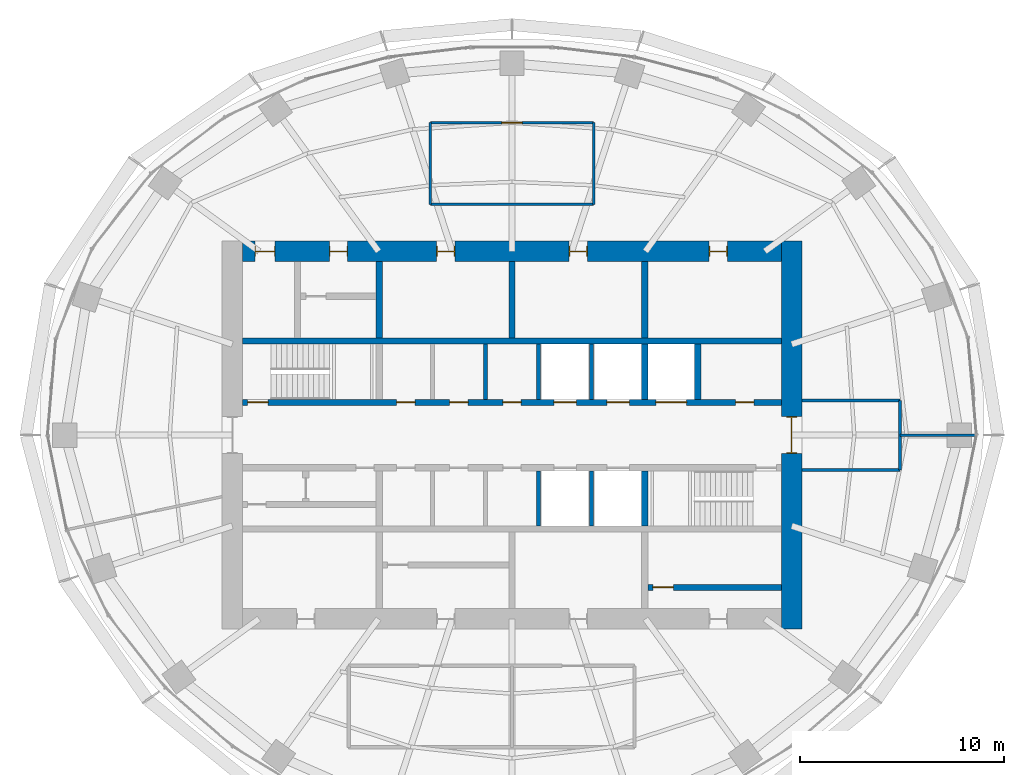
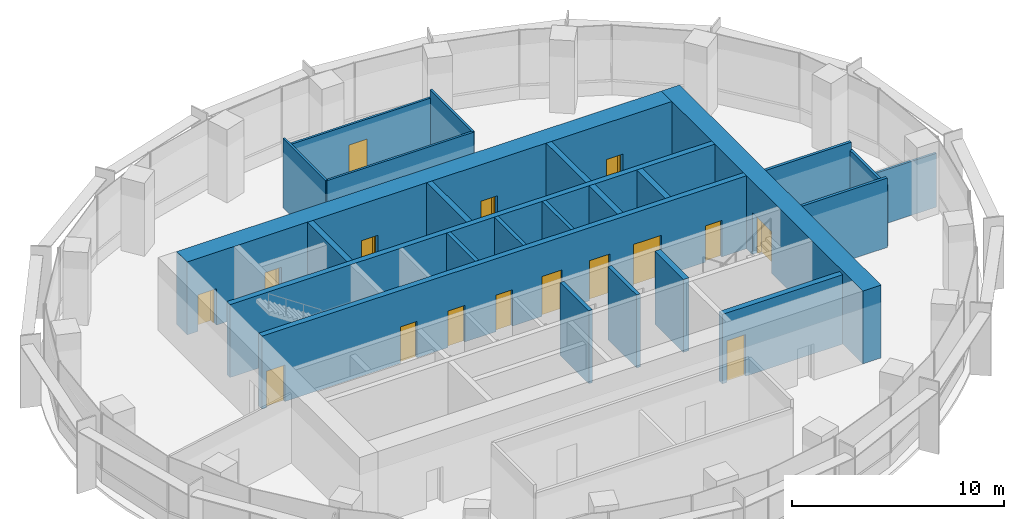
# One storey, part 10 of 13: 24 walls, 16 doors, 16 openings.
"""IFC4 building model written with IfcOpenShell, lengths in metres."""

from ifc_helpers import new_model, si_unit, direction, frame, frame_2d, origin, place, context, subcontext, project, spatial, rectangle, extrude, material, layer, layer_set, type_object, element, fill, save


model = new_model("IFC4")

# Units and contexts
model_context = context("Model", 3, precision=1e-05, world=origin(), true_north=direction((0.0, 1.0)))
body_context = subcontext(model_context, "Body", "Model", "MODEL_VIEW")
ifc_project = project(units=[si_unit("LENGTHUNIT", "METRE"), si_unit("AREAUNIT", "SQUARE_METRE"), si_unit("VOLUMEUNIT", "CUBIC_METRE"), si_unit("PLANEANGLEUNIT", "RADIAN"), si_unit("MASSUNIT", "GRAM", prefix="KILO")], contexts=[model_context])

# Site, building, storey
site_placement = place(None, origin())
site = spatial("IfcSite", under=ifc_project, at=site_placement, CompositionType="ELEMENT")
building_placement = place(site_placement, origin())
building = spatial("IfcBuilding", under=site, at=building_placement, Name="Marramba Exchange Tower", CompositionType="ELEMENT")
storey_placement = place(building_placement, frame((0.0, 0.0, 272.800048828125)))
storey = spatial("IfcBuildingStorey", under=building, at=storey_placement, Name="L66", CompositionType="ELEMENT", Elevation=272.800048828125)

# Walls
ifc_material_1 = material(Name="Concrete N50", Category="concrete")
ifc_layer_1 = layer(ifc_material_1, 0.199951171875)
ifc_layer_set_1 = layer_set([ifc_layer_1], Name="Core shaft wall 200")
wall_type_1 = type_object("IfcWallType", Name="Core shaft wall 200", PredefinedType="SHEAR", material=ifc_layer_set_1)
for number, where, z_axis, x_axis, name in (
    (1, (-1.300048828125, 1.75, 0.0), (0.0, 0.0, 1.0), (0.0, 1.0, 0.0), "Core wall SHN2 L66"),
    (2, (1.300048828125, 1.75, 0.0), (0.0, 0.0, 1.0), (0.0, 1.0, 0.0), "Core wall SHN3 L66"),
    (3, (3.89990234375, 1.75, 0.0), (0.0, 0.0, 1.0), (0.0, 1.0, 0.0), "Core wall SHN4 L66"),
    (4, (1.300048828125, -1.75, 0.0), (0.0, 0.0, 1.0), (0.0, -1.0, 0.0), "Core wall SHS3 L66"),
    (5, (3.89990234375, -1.75, 0.0), (0.0, 0.0, 1.0), (0.0, -1.0, 0.0), "Core wall SHS4 L66"),
):
    element("IfcWall", number, at=place(storey_placement, frame(where, z_axis=z_axis, x_axis=x_axis)), inside=storey, type_object=wall_type_1, Name=name, PredefinedType="SHEAR", context=body_context, shape_type="SweptSolid", body=[
        extrude(rectangle(XDim=2.699951171875, YDim=0.199951171875, at=frame_2d((1.35009765625, 0.0))), origin(), (0.0, 0.0, 1.0), 4.199951171875),
    ])

# Wall, openings, doors
ifc_layer_2 = layer(ifc_material_1, 1.0)
ifc_layer_set_2 = layer_set([ifc_layer_2], Name="Core wall 1000")
wall_type_2 = type_object("IfcWallType", Name="Core wall 1000", PredefinedType="SHEAR", material=ifc_layer_set_2)
wall_1_placement = place(storey_placement, frame((13.199951171875, 9.0, 0.0), z_axis=(0.0, 0.0, 1.0), x_axis=(-1.0, 0.0, 0.0)))
wall_1 = element("IfcWall", 6, at=wall_1_placement, inside=storey, type_object=wall_type_2, Name="Core wall N L66", PredefinedType="SHEAR", context=body_context, shape_type="SweptSolid", body=[
    extrude(rectangle(XDim=26.39990234375, YDim=1.0, at=frame_2d((13.199951171875, 0.0))), origin(), (0.0, 0.0, 1.0), 4.199951171875),
])
opening_1_placement = place(wall_1_placement, frame((2.64990234375, 0.0, 0.0)))
opening_1 = element("IfcOpeningElement", 7, at=opening_1_placement, cuts=wall_1, Name="Opening D5", PredefinedType="OPENING", context=body_context, shape_type="SweptSolid", body=[
    extrude(rectangle(XDim=0.89990234375, YDim=2.10009765625, at=frame_2d((0.449951171875, 1.050048828125))), frame((0.0, 0.510009765625, 0.0), z_axis=(0.0, -1.0, 0.0), x_axis=(1.0, 0.0, 0.0)), (0.0, 0.0, 1.0), 1.02001953125),
])
opening_2_placement = place(wall_1_placement, frame((9.5, 0.0, 0.0)))
opening_2 = element("IfcOpeningElement", 8, at=opening_2_placement, cuts=wall_1, Name="Opening D3", PredefinedType="OPENING", context=body_context, shape_type="SweptSolid", body=[
    extrude(rectangle(XDim=0.89990234375, YDim=2.10009765625, at=frame_2d((0.449951171875, 1.050048828125))), frame((0.0, 0.510009765625, 0.0), z_axis=(0.0, -1.0, 0.0), x_axis=(1.0, 0.0, 0.0)), (0.0, 0.0, 1.0), 1.02001953125),
])
opening_3_placement = place(wall_1_placement, frame((16.0, 0.0, 0.0)))
opening_3 = element("IfcOpeningElement", 9, at=opening_3_placement, cuts=wall_1, Name="Opening D3", PredefinedType="OPENING", context=body_context, shape_type="SweptSolid", body=[
    extrude(rectangle(XDim=0.89990234375, YDim=2.10009765625, at=frame_2d((0.449951171875, 1.050048828125))), frame((0.0, 0.510009765625, 0.0), z_axis=(0.0, -1.0, 0.0), x_axis=(1.0, 0.0, 0.0)), (0.0, 0.0, 1.0), 1.02001953125),
])
opening_4_placement = place(wall_1_placement, frame((21.25, 0.0, 0.0)))
opening_4 = element("IfcOpeningElement", 10, at=opening_4_placement, cuts=wall_1, Name="Opening D5", PredefinedType="OPENING", context=body_context, shape_type="SweptSolid", body=[
    extrude(rectangle(XDim=0.89990234375, YDim=2.10009765625, at=frame_2d((0.449951171875, 1.050048828125))), frame((0.0, 0.510009765625, 0.0), z_axis=(0.0, -1.0, 0.0), x_axis=(1.0, 0.0, 0.0)), (0.0, 0.0, 1.0), 1.02001953125),
])
opening_5_placement = place(wall_1_placement, frame((24.800048828125, 0.0, 0.0)))
opening_5 = element("IfcOpeningElement", 11, at=opening_5_placement, cuts=wall_1, Name="Opening D4", PredefinedType="OPENING", context=body_context, shape_type="SweptSolid", body=[
    extrude(rectangle(XDim=1.0, YDim=2.10009765625, at=frame_2d((0.5, 1.050048828125))), frame((0.0, 0.510009765625, 0.0), z_axis=(0.0, -1.0, 0.0), x_axis=(1.0, 0.0, 0.0)), (0.0, 0.0, 1.0), 1.02001953125),
])
ifc_material_2 = material(Name="Steel-framed door", Category="steel")
door_type_1 = type_object("IfcDoorType", Name="Accessible toilet door 1000x2100", OperationType="SINGLE_SWING_LEFT", PredefinedType="DOOR", material=ifc_material_2)
door_1_placement = place(opening_5_placement, origin())
door_1 = element("IfcDoor", 12, at=door_1_placement, inside=storey, type_object=door_type_1, Name="D4 awc L66", OperationType="SINGLE_SWING_RIGHT", OverallHeight=2.10009765625, OverallWidth=1.0, PredefinedType="DOOR", context=body_context, shape_type="SweptSolid", body=[
    extrude(rectangle(XDim=0.919921875, YDim=2.06005859375, at=frame_2d((0.5, 1.030029296875))), frame((0.0, 0.02490234375, 0.0), z_axis=(0.0, -1.0, 0.0), x_axis=(1.0, 0.0, 0.0)), (0.0, 0.0, 1.0), 0.050048828125),
    extrude(rectangle(XDim=0.04, YDim=2.10009765625, at=frame_2d((0.02001953125, 1.050048828125))), frame((0.0, 0.25, 0.0), z_axis=(0.0, -1.0, 0.0), x_axis=(1.0, 0.0, 0.0)), (0.0, 0.0, 1.0), 0.5),
    extrude(rectangle(XDim=0.04, YDim=2.10009765625, at=frame_2d((0.97998046875, 1.050048828125))), frame((0.0, 0.25, 0.0), z_axis=(0.0, -1.0, 0.0), x_axis=(1.0, 0.0, 0.0)), (0.0, 0.0, 1.0), 0.5),
    extrude(rectangle(XDim=0.919921875, YDim=0.04, at=frame_2d((0.5, 2.080078125))), frame((0.0, 0.25, 0.0), z_axis=(0.0, -1.0, 0.0), x_axis=(1.0, 0.0, 0.0)), (0.0, 0.0, 1.0), 0.5),
])
fill(opening_5, door_1)
door_type_2 = type_object("IfcDoorType", Name="Service door 900x2100", OperationType="SINGLE_SWING_LEFT", PredefinedType="DOOR", material=ifc_material_2)
door_2_placement = place(opening_1_placement, origin())
door_2 = element("IfcDoor", 13, at=door_2_placement, inside=storey, type_object=door_type_2, Name="D5 comms L66", OperationType="SINGLE_SWING_LEFT", OverallHeight=2.10009765625, OverallWidth=0.89990234375, PredefinedType="DOOR", context=body_context, shape_type="SweptSolid", body=[
    extrude(rectangle(XDim=0.81982421875, YDim=2.06005859375, at=frame_2d((0.449951171875, 1.030029296875))), frame((0.0, 0.02490234375, 0.0), z_axis=(0.0, -1.0, 0.0), x_axis=(1.0, 0.0, 0.0)), (0.0, 0.0, 1.0), 0.050048828125),
    extrude(rectangle(XDim=0.04, YDim=2.10009765625, at=frame_2d((0.02001953125, 1.050048828125))), frame((0.0, 0.25, 0.0), z_axis=(0.0, -1.0, 0.0), x_axis=(1.0, 0.0, 0.0)), (0.0, 0.0, 1.0), 0.5),
    extrude(rectangle(XDim=0.04, YDim=2.10009765625, at=frame_2d((0.8798828125, 1.050048828125))), frame((0.0, 0.25, 0.0), z_axis=(0.0, -1.0, 0.0), x_axis=(1.0, 0.0, 0.0)), (0.0, 0.0, 1.0), 0.5),
    extrude(rectangle(XDim=0.81982421875, YDim=0.04, at=frame_2d((0.449951171875, 2.080078125))), frame((0.0, 0.25, 0.0), z_axis=(0.0, -1.0, 0.0), x_axis=(1.0, 0.0, 0.0)), (0.0, 0.0, 1.0), 0.5),
])
fill(opening_1, door_2)
door_3_placement = place(opening_4_placement, origin())
door_3 = element("IfcDoor", 14, at=door_3_placement, inside=storey, type_object=door_type_2, Name="D5 cleaner L66", OperationType="SINGLE_SWING_RIGHT", OverallHeight=2.10009765625, OverallWidth=0.89990234375, PredefinedType="DOOR", context=body_context, shape_type="SweptSolid", body=[
    extrude(rectangle(XDim=0.81982421875, YDim=2.06005859375, at=frame_2d((0.449951171875, 1.030029296875))), frame((0.0, 0.02490234375, 0.0), z_axis=(0.0, -1.0, 0.0), x_axis=(1.0, 0.0, 0.0)), (0.0, 0.0, 1.0), 0.050048828125),
    extrude(rectangle(XDim=0.04, YDim=2.10009765625, at=frame_2d((0.02001953125, 1.050048828125))), frame((0.0, 0.25, 0.0), z_axis=(0.0, -1.0, 0.0), x_axis=(1.0, 0.0, 0.0)), (0.0, 0.0, 1.0), 0.5),
    extrude(rectangle(XDim=0.04, YDim=2.10009765625, at=frame_2d((0.8798828125, 1.050048828125))), frame((0.0, 0.25, 0.0), z_axis=(0.0, -1.0, 0.0), x_axis=(1.0, 0.0, 0.0)), (0.0, 0.0, 1.0), 0.5),
    extrude(rectangle(XDim=0.81982421875, YDim=0.04, at=frame_2d((0.449951171875, 2.080078125))), frame((0.0, 0.25, 0.0), z_axis=(0.0, -1.0, 0.0), x_axis=(1.0, 0.0, 0.0)), (0.0, 0.0, 1.0), 0.5),
])
fill(opening_4, door_3)
door_type_3 = type_object("IfcDoorType", Name="Toilet door 900x2100", OperationType="SINGLE_SWING_LEFT", PredefinedType="DOOR", material=ifc_material_2)
door_4_placement = place(opening_2_placement, origin())
door_4 = element("IfcDoor", 15, at=door_4_placement, inside=storey, type_object=door_type_3, Name="D3 wc-f L66", OperationType="SINGLE_SWING_RIGHT", OverallHeight=2.10009765625, OverallWidth=0.89990234375, PredefinedType="DOOR", context=body_context, shape_type="SweptSolid", body=[
    extrude(rectangle(XDim=0.81982421875, YDim=2.06005859375, at=frame_2d((0.449951171875, 1.030029296875))), frame((0.0, 0.02490234375, 0.0), z_axis=(0.0, -1.0, 0.0), x_axis=(1.0, 0.0, 0.0)), (0.0, 0.0, 1.0), 0.050048828125),
    extrude(rectangle(XDim=0.04, YDim=2.10009765625, at=frame_2d((0.02001953125, 1.050048828125))), frame((0.0, 0.25, 0.0), z_axis=(0.0, -1.0, 0.0), x_axis=(1.0, 0.0, 0.0)), (0.0, 0.0, 1.0), 0.5),
    extrude(rectangle(XDim=0.04, YDim=2.10009765625, at=frame_2d((0.8798828125, 1.050048828125))), frame((0.0, 0.25, 0.0), z_axis=(0.0, -1.0, 0.0), x_axis=(1.0, 0.0, 0.0)), (0.0, 0.0, 1.0), 0.5),
    extrude(rectangle(XDim=0.81982421875, YDim=0.04, at=frame_2d((0.449951171875, 2.080078125))), frame((0.0, 0.25, 0.0), z_axis=(0.0, -1.0, 0.0), x_axis=(1.0, 0.0, 0.0)), (0.0, 0.0, 1.0), 0.5),
])
fill(opening_2, door_4)
door_5_placement = place(opening_3_placement, origin())
door_5 = element("IfcDoor", 16, at=door_5_placement, inside=storey, type_object=door_type_3, Name="D3 wc-m L66", OperationType="SINGLE_SWING_RIGHT", OverallHeight=2.10009765625, OverallWidth=0.89990234375, PredefinedType="DOOR", context=body_context, shape_type="SweptSolid", body=[
    extrude(rectangle(XDim=0.81982421875, YDim=2.06005859375, at=frame_2d((0.449951171875, 1.030029296875))), frame((0.0, 0.02490234375, 0.0), z_axis=(0.0, -1.0, 0.0), x_axis=(1.0, 0.0, 0.0)), (0.0, 0.0, 1.0), 0.050048828125),
    extrude(rectangle(XDim=0.04, YDim=2.10009765625, at=frame_2d((0.02001953125, 1.050048828125))), frame((0.0, 0.25, 0.0), z_axis=(0.0, -1.0, 0.0), x_axis=(1.0, 0.0, 0.0)), (0.0, 0.0, 1.0), 0.5),
    extrude(rectangle(XDim=0.04, YDim=2.10009765625, at=frame_2d((0.8798828125, 1.050048828125))), frame((0.0, 0.25, 0.0), z_axis=(0.0, -1.0, 0.0), x_axis=(1.0, 0.0, 0.0)), (0.0, 0.0, 1.0), 0.5),
    extrude(rectangle(XDim=0.81982421875, YDim=0.04, at=frame_2d((0.449951171875, 2.080078125))), frame((0.0, 0.25, 0.0), z_axis=(0.0, -1.0, 0.0), x_axis=(1.0, 0.0, 0.0)), (0.0, 0.0, 1.0), 0.5),
])
fill(opening_3, door_5)

# Wall, opening, door
wall_2_placement = place(storey_placement, frame((13.699951171875, -9.5, 0.0), z_axis=(0.0, 0.0, 1.0), x_axis=(0.0, 1.0, 0.0)))
wall_2 = element("IfcWall", 17, at=wall_2_placement, inside=storey, type_object=wall_type_2, Name="Core wall E L66", PredefinedType="SHEAR", context=body_context, shape_type="SweptSolid", body=[
    extrude(rectangle(XDim=19.0, YDim=1.0, at=frame_2d((9.5, 0.0))), origin(), (0.0, 0.0, 1.0), 4.199951171875),
])
opening_6_placement = place(wall_2_placement, frame((8.60009765625, 0.0, 0.0)))
opening_6 = element("IfcOpeningElement", 18, at=opening_6_placement, cuts=wall_2, Name="Opening D1", PredefinedType="OPENING", context=body_context, shape_type="SweptSolid", body=[
    extrude(rectangle(XDim=1.800048828125, YDim=2.39990234375, at=frame_2d((0.89990234375, 1.199951171875))), frame((0.0, 0.510009765625, 0.0), z_axis=(0.0, -1.0, 0.0), x_axis=(1.0, 0.0, 0.0)), (0.0, 0.0, 1.0), 1.02001953125),
])
door_type_4 = type_object("IfcDoorType", Name="Lobby exit door 1800x2400", OperationType="DOUBLE_DOOR_SINGLE_SWING", PredefinedType="DOOR", material=ifc_material_2)
door_6_placement = place(opening_6_placement, frame((1.800048828125, 0.0, 0.0), z_axis=(0.0, 0.0, 1.0), x_axis=(-1.0, 0.0, 0.0)))
door_6 = element("IfcDoor", 19, at=door_6_placement, inside=storey, type_object=door_type_4, Name="D1 lobby exit east L66", OperationType="DOUBLE_DOOR_SINGLE_SWING", OverallHeight=2.39990234375, OverallWidth=1.800048828125, PredefinedType="DOOR", context=body_context, shape_type="SweptSolid", body=[
    extrude(rectangle(XDim=1.719970703125, YDim=2.35986328125, at=frame_2d((0.900146484375, 1.179931640625))), frame((0.0, 0.025146484375, 0.0), z_axis=(0.0, -1.0, 0.0), x_axis=(1.0, 0.0, 0.0)), (0.0, 0.0, 1.0), 0.050048828125),
    extrude(rectangle(XDim=0.04, YDim=2.39990234375, at=frame_2d((1.780029296875, 1.199951171875))), frame((0.0, 0.25, 0.0), z_axis=(0.0, -1.0, 0.0), x_axis=(1.0, 0.0, 0.0)), (0.0, 0.0, 1.0), 0.5),
    extrude(rectangle(XDim=0.04, YDim=2.39990234375, at=frame_2d((0.02001953125, 1.199951171875))), frame((0.0, 0.25, 0.0), z_axis=(0.0, -1.0, 0.0), x_axis=(1.0, 0.0, 0.0)), (0.0, 0.0, 1.0), 0.5),
    extrude(rectangle(XDim=1.719970703125, YDim=0.04, at=frame_2d((0.900146484375, 2.3798828125))), frame((0.0, 0.25, 0.0), z_axis=(0.0, -1.0, 0.0), x_axis=(1.0, 0.0, 0.0)), (0.0, 0.0, 1.0), 0.5),
])
fill(opening_6, door_6)

# Wall, openings, doors
ifc_layer_3 = layer(ifc_material_1, 0.300048828125)
ifc_layer_set_3 = layer_set([ifc_layer_3], Name="Core wall 300")
wall_type_3 = type_object("IfcWallType", Name="Core wall 300", PredefinedType="SHEAR", material=ifc_layer_set_3)
wall_3_placement = place(storey_placement, frame((-13.199951171875, 1.60009765625, 0.0), z_axis=(0.0, 0.0, 1.0), x_axis=(1.0, 0.0, 0.0)))
wall_3 = element("IfcWall", 20, at=wall_3_placement, inside=storey, type_object=wall_type_3, Name="Core wall LN L66", PredefinedType="SHEAR", context=body_context, shape_type="SweptSolid", body=[
    extrude(rectangle(XDim=26.39990234375, YDim=0.300048828125, at=frame_2d((13.199951171875, 0.0))), origin(), (0.0, 0.0, 1.0), 4.199951171875),
])
opening_7_placement = place(wall_3_placement, frame((0.25, 0.0, 0.0)))
opening_7 = element("IfcOpeningElement", 21, at=opening_7_placement, cuts=wall_3, Name="Opening D2", PredefinedType="OPENING", context=body_context, shape_type="SweptSolid", body=[
    extrude(rectangle(XDim=1.0, YDim=2.10009765625, at=frame_2d((0.5, 1.050048828125))), frame((0.0, 0.159912109375, 0.0), z_axis=(0.0, -1.0, 0.0), x_axis=(1.0, 0.0, 0.0)), (0.0, 0.0, 1.0), 0.320068359375),
])
opening_8_placement = place(wall_3_placement, frame((20.25, 0.0, 0.0)))
opening_8 = element("IfcOpeningElement", 22, at=opening_8_placement, cuts=wall_3, Name="Opening LD3", PredefinedType="OPENING", context=body_context, shape_type="SweptSolid", body=[
    extrude(rectangle(XDim=1.5, YDim=2.39990234375, at=frame_2d((0.75, 1.199951171875))), frame((0.0, 0.159912109375, 0.0), z_axis=(0.0, -1.0, 0.0), x_axis=(1.0, 0.0, 0.0)), (0.0, 0.0, 1.0), 0.320068359375),
])
opening_9_placement = place(wall_3_placement, frame((7.550048828125, 0.0, 0.0)))
opening_9 = element("IfcOpeningElement", 23, at=opening_9_placement, cuts=wall_3, Name="Opening D5", PredefinedType="OPENING", context=body_context, shape_type="SweptSolid", body=[
    extrude(rectangle(XDim=0.89990234375, YDim=2.10009765625, at=frame_2d((0.449951171875, 1.050048828125))), frame((0.0, 0.159912109375, 0.0), z_axis=(0.0, -1.0, 0.0), x_axis=(1.0, 0.0, 0.0)), (0.0, 0.0, 1.0), 0.320068359375),
])
opening_10_placement = place(wall_3_placement, frame((10.14990234375, 0.0, 0.0)))
opening_10 = element("IfcOpeningElement", 24, at=opening_10_placement, cuts=wall_3, Name="Opening D5", PredefinedType="OPENING", context=body_context, shape_type="SweptSolid", body=[
    extrude(rectangle(XDim=0.89990234375, YDim=2.10009765625, at=frame_2d((0.449951171875, 1.050048828125))), frame((0.0, 0.159912109375, 0.0), z_axis=(0.0, -1.0, 0.0), x_axis=(1.0, 0.0, 0.0)), (0.0, 0.0, 1.0), 0.320068359375),
])
opening_11_placement = place(wall_3_placement, frame((12.75, 0.0, 0.0)))
opening_11 = element("IfcOpeningElement", 25, at=opening_11_placement, cuts=wall_3, Name="Opening D5", PredefinedType="OPENING", context=body_context, shape_type="SweptSolid", body=[
    extrude(rectangle(XDim=0.89990234375, YDim=2.10009765625, at=frame_2d((0.449951171875, 1.050048828125))), frame((0.0, 0.159912109375, 0.0), z_axis=(0.0, -1.0, 0.0), x_axis=(1.0, 0.0, 0.0)), (0.0, 0.0, 1.0), 0.320068359375),
])
opening_12_placement = place(wall_3_placement, frame((15.25, 0.0, 0.0)))
opening_12 = element("IfcOpeningElement", 26, at=opening_12_placement, cuts=wall_3, Name="Opening LD1", PredefinedType="OPENING", context=body_context, shape_type="SweptSolid", body=[
    extrude(rectangle(XDim=1.10009765625, YDim=2.300048828125, at=frame_2d((0.550048828125, 1.14990234375))), frame((0.0, 0.159912109375, 0.0), z_axis=(0.0, -1.0, 0.0), x_axis=(1.0, 0.0, 0.0)), (0.0, 0.0, 1.0), 0.320068359375),
])
opening_13_placement = place(wall_3_placement, frame((17.85009765625, 0.0, 0.0)))
opening_13 = element("IfcOpeningElement", 27, at=opening_13_placement, cuts=wall_3, Name="Opening LD1", PredefinedType="OPENING", context=body_context, shape_type="SweptSolid", body=[
    extrude(rectangle(XDim=1.10009765625, YDim=2.300048828125, at=frame_2d((0.550048828125, 1.14990234375))), frame((0.0, 0.159912109375, 0.0), z_axis=(0.0, -1.0, 0.0), x_axis=(1.0, 0.0, 0.0)), (0.0, 0.0, 1.0), 0.320068359375),
])
opening_14_placement = place(wall_3_placement, frame((24.14990234375, 0.0, 0.0)))
opening_14 = element("IfcOpeningElement", 28, at=opening_14_placement, cuts=wall_3, Name="Opening D5", PredefinedType="OPENING", context=body_context, shape_type="SweptSolid", body=[
    extrude(rectangle(XDim=0.89990234375, YDim=2.10009765625, at=frame_2d((0.449951171875, 1.050048828125))), frame((0.0, 0.159912109375, 0.0), z_axis=(0.0, -1.0, 0.0), x_axis=(1.0, 0.0, 0.0)), (0.0, 0.0, 1.0), 0.320068359375),
])
door_type_5 = type_object("IfcDoorType", Name="Goods lift landing door 1500x2400", OperationType="SLIDING_TO_LEFT", PredefinedType="DOOR", material=ifc_material_2)
door_7_placement = place(opening_8_placement, origin())
door_7 = element("IfcDoor", 29, at=door_7_placement, inside=storey, type_object=door_type_5, Name="GL1 landing door L66", OperationType="SLIDING_TO_RIGHT", OverallHeight=2.39990234375, OverallWidth=1.5, PredefinedType="DOOR", context=body_context, shape_type="SweptSolid", body=[
    extrude(rectangle(XDim=1.5, YDim=2.39990234375, at=frame_2d((0.75, 1.199951171875))), frame((0.0, 0.02490234375, 0.0), z_axis=(0.0, -1.0, 0.0), x_axis=(1.0, 0.0, 0.0)), (0.0, 0.0, 1.0), 0.050048828125),
])
fill(opening_8, door_7)
door_type_6 = type_object("IfcDoorType", Name="Lift landing door 1100x2300", OperationType="SLIDING_TO_LEFT", PredefinedType="DOOR", material=ifc_material_2)
door_8_placement = place(opening_12_placement, origin())
door_8 = element("IfcDoor", 30, at=door_8_placement, inside=storey, type_object=door_type_6, Name="LD1 landing door L66", OperationType="SLIDING_TO_LEFT", OverallHeight=2.300048828125, OverallWidth=1.10009765625, PredefinedType="DOOR", context=body_context, shape_type="SweptSolid", body=[
    extrude(rectangle(XDim=1.10009765625, YDim=2.300048828125, at=frame_2d((0.550048828125, 1.14990234375))), frame((0.0, 0.02490234375, 0.0), z_axis=(0.0, -1.0, 0.0), x_axis=(1.0, 0.0, 0.0)), (0.0, 0.0, 1.0), 0.050048828125),
])
fill(opening_12, door_8)
door_9_placement = place(opening_13_placement, origin())
door_9 = element("IfcDoor", 31, at=door_9_placement, inside=storey, type_object=door_type_6, Name="LD2 landing door L66", OperationType="SLIDING_TO_LEFT", OverallHeight=2.300048828125, OverallWidth=1.10009765625, PredefinedType="DOOR", context=body_context, shape_type="SweptSolid", body=[
    extrude(rectangle(XDim=1.10009765625, YDim=2.300048828125, at=frame_2d((0.550048828125, 1.14990234375))), frame((0.0, 0.02490234375, 0.0), z_axis=(0.0, -1.0, 0.0), x_axis=(1.0, 0.0, 0.0)), (0.0, 0.0, 1.0), 0.050048828125),
])
fill(opening_13, door_9)
door_10_placement = place(opening_9_placement, origin())
door_10 = element("IfcDoor", 32, at=door_10_placement, inside=storey, type_object=door_type_2, Name="D5 it equipment room L66", OperationType="SINGLE_SWING_RIGHT", OverallHeight=2.10009765625, OverallWidth=0.89990234375, PredefinedType="DOOR", context=body_context, shape_type="SweptSolid", body=[
    extrude(rectangle(XDim=0.89990234375, YDim=2.10009765625, at=frame_2d((0.449951171875, 1.050048828125))), frame((0.0, 0.02490234375, 0.0), z_axis=(0.0, -1.0, 0.0), x_axis=(1.0, 0.0, 0.0)), (0.0, 0.0, 1.0), 0.050048828125),
])
fill(opening_9, door_10)
door_11_placement = place(opening_10_placement, origin())
door_11 = element("IfcDoor", 33, at=door_11_placement, inside=storey, type_object=door_type_2, Name="D5 stationery store L66", OperationType="SINGLE_SWING_RIGHT", OverallHeight=2.10009765625, OverallWidth=0.89990234375, PredefinedType="DOOR", context=body_context, shape_type="SweptSolid", body=[
    extrude(rectangle(XDim=0.89990234375, YDim=2.10009765625, at=frame_2d((0.449951171875, 1.050048828125))), frame((0.0, 0.02490234375, 0.0), z_axis=(0.0, -1.0, 0.0), x_axis=(1.0, 0.0, 0.0)), (0.0, 0.0, 1.0), 0.050048828125),
])
fill(opening_10, door_11)
door_12_placement = place(opening_11_placement, origin())
door_12 = element("IfcDoor", 34, at=door_12_placement, inside=storey, type_object=door_type_2, Name="D5 switch room L66", OperationType="SINGLE_SWING_RIGHT", OverallHeight=2.10009765625, OverallWidth=0.89990234375, PredefinedType="DOOR", context=body_context, shape_type="SweptSolid", body=[
    extrude(rectangle(XDim=0.89990234375, YDim=2.10009765625, at=frame_2d((0.449951171875, 1.050048828125))), frame((0.0, 0.02490234375, 0.0), z_axis=(0.0, -1.0, 0.0), x_axis=(1.0, 0.0, 0.0)), (0.0, 0.0, 1.0), 0.050048828125),
])
fill(opening_11, door_12)
door_13_placement = place(opening_14_placement, origin())
door_13 = element("IfcDoor", 35, at=door_13_placement, inside=storey, type_object=door_type_2, Name="D5 riser L66", OperationType="SINGLE_SWING_RIGHT", OverallHeight=2.10009765625, OverallWidth=0.89990234375, PredefinedType="DOOR", context=body_context, shape_type="SweptSolid", body=[
    extrude(rectangle(XDim=0.89990234375, YDim=2.10009765625, at=frame_2d((0.449951171875, 1.050048828125))), frame((0.0, 0.02490234375, 0.0), z_axis=(0.0, -1.0, 0.0), x_axis=(1.0, 0.0, 0.0)), (0.0, 0.0, 1.0), 0.050048828125),
])
fill(opening_14, door_13)
door_type_7 = type_object("IfcDoorType", Name="Stair door 1000x2100", OperationType="SINGLE_SWING_LEFT", PredefinedType="DOOR", material=ifc_material_2)
door_14_placement = place(opening_7_placement, origin())
door_14 = element("IfcDoor", 36, at=door_14_placement, inside=storey, type_object=door_type_7, Name="D2 stair ST1 L66", OperationType="SINGLE_SWING_LEFT", OverallHeight=2.10009765625, OverallWidth=1.0, PredefinedType="DOOR", context=body_context, shape_type="SweptSolid", body=[
    extrude(rectangle(XDim=1.0, YDim=2.10009765625, at=frame_2d((0.5, 1.050048828125))), frame((0.0, 0.02490234375, 0.0), z_axis=(0.0, -1.0, 0.0), x_axis=(1.0, 0.0, 0.0)), (0.0, 0.0, 1.0), 0.050048828125),
])
fill(opening_7, door_14)

# Walls
wall_4_placement = place(storey_placement, frame((-13.199951171875, 4.60009765625, 0.0), z_axis=(0.0, 0.0, 1.0), x_axis=(1.0, 0.0, 0.0)))
element("IfcWall", 37, at=wall_4_placement, inside=storey, type_object=wall_type_3, Name="Core wall BN L66", PredefinedType="SHEAR", context=body_context, shape_type="SweptSolid", body=[
    extrude(rectangle(XDim=26.39990234375, YDim=0.300048828125, at=frame_2d((13.199951171875, 0.0))), origin(), (0.0, 0.0, 1.0), 4.199951171875),
])
wall_5_placement = place(storey_placement, frame((-6.5, 4.75, 0.0), z_axis=(0.0, 0.0, 1.0), x_axis=(0.0, 1.0, 0.0)))
element("IfcWall", 38, at=wall_5_placement, inside=storey, type_object=wall_type_3, Name="Core wall X0Nb L66", PredefinedType="SHEAR", context=body_context, shape_type="SweptSolid", body=[
    extrude(rectangle(XDim=3.75, YDim=0.300048828125, at=frame_2d((1.875, 0.0))), origin(), (0.0, 0.0, 1.0), 4.199951171875),
])
wall_6_placement = place(storey_placement, frame((6.5, 1.75, 0.0), z_axis=(0.0, 0.0, 1.0), x_axis=(0.0, 1.0, 0.0)))
element("IfcWall", 39, at=wall_6_placement, inside=storey, type_object=wall_type_3, Name="Core wall X1Na L66", PredefinedType="SHEAR", context=body_context, shape_type="SweptSolid", body=[
    extrude(rectangle(XDim=2.699951171875, YDim=0.300048828125, at=frame_2d((1.35009765625, 0.0))), origin(), (0.0, 0.0, 1.0), 4.199951171875),
])
for number, where, z_axis, x_axis, name in (
    (40, (6.5, 4.75, 0.0), (0.0, 0.0, 1.0), (0.0, 1.0, 0.0), "Core wall X1Nb L66"),
    (41, (0.0, 4.75, 0.0), (0.0, 0.0, 1.0), (0.0, 1.0, 0.0), "Core wall MN L66"),
):
    element("IfcWall", number, at=place(storey_placement, frame(where, z_axis=z_axis, x_axis=x_axis)), inside=storey, type_object=wall_type_3, Name=name, PredefinedType="SHEAR", context=body_context, shape_type="SweptSolid", body=[
        extrude(rectangle(XDim=3.75, YDim=0.300048828125, at=frame_2d((1.875, 0.0))), origin(), (0.0, 0.0, 1.0), 4.199951171875),
    ])
for number, where, z_axis, x_axis, name in (
    (42, (6.5, -1.75, 0.0), (0.0, 0.0, 1.0), (0.0, -1.0, 0.0), "Core wall X1Sa L66"),
    (43, (9.10009765625, 1.75, 0.0), (0.0, 0.0, 1.0), (0.0, 1.0, 0.0), "Core wall ED L66"),
):
    element("IfcWall", number, at=place(storey_placement, frame(where, z_axis=z_axis, x_axis=x_axis)), inside=storey, type_object=wall_type_3, Name=name, PredefinedType="SHEAR", context=body_context, shape_type="SweptSolid", body=[
        extrude(rectangle(XDim=2.699951171875, YDim=0.300048828125, at=frame_2d((1.35009765625, 0.0))), origin(), (0.0, 0.0, 1.0), 4.199951171875),
    ])
ifc_material_3 = material(Name="Plasterboard on steel studs", Category="steel")
ifc_layer_4 = layer(ifc_material_3, 0.1201171875)
ifc_layer_set_4 = layer_set([ifc_layer_4], Name="Partition 120")
wall_type_4 = type_object("IfcWallType", Name="Partition 120", PredefinedType="PARTITIONING", material=ifc_layer_set_4)
wall_7_placement = place(storey_placement, frame((22.669921875, 0.0, 0.0), z_axis=(0.0, 0.0, 1.0), x_axis=(-1.0, 0.0, 0.0)))
element("IfcWall", 44, at=wall_7_placement, inside=storey, type_object=wall_type_4, Name="Partition L66 09", PredefinedType="PARTITIONING", context=body_context, shape_type="SweptSolid", body=[
    extrude(rectangle(XDim=3.669921875, YDim=0.1201171875, at=frame_2d((1.8349609375, 0.0))), origin(), (0.0, 0.0, 1.0), 3.099853515625),
])
wall_8_placement = place(storey_placement, frame((4.0, 15.300048828125, 0.0), z_axis=(0.0, 0.0, 1.0), x_axis=(0.0, -1.0, 0.0)))
element("IfcWall", 45, at=wall_8_placement, inside=storey, type_object=wall_type_4, Name="Partition L66 11", PredefinedType="PARTITIONING", context=body_context, shape_type="SweptSolid", body=[
    extrude(rectangle(XDim=4.0, YDim=0.1201171875, at=frame_2d((2.0, 0.0))), origin(), (0.0, 0.0, 1.0), 4.0),
])

# Wall, opening, door
wall_9_placement = place(storey_placement, frame((-4.0, 15.300048828125, 0.0), z_axis=(0.0, 0.0, 1.0), x_axis=(1.0, 0.0, 0.0)))
wall_9 = element("IfcWall", 46, at=wall_9_placement, inside=storey, type_object=wall_type_4, Name="Partition L66 12", PredefinedType="PARTITIONING", context=body_context, shape_type="SweptSolid", body=[
    extrude(rectangle(XDim=8.0, YDim=0.1201171875, at=frame_2d((4.0, 0.0))), origin(), (0.0, 0.0, 1.0), 3.5458984375),
])
opening_15_placement = place(wall_9_placement, frame((3.5, 0.0, 0.0)))
opening_15 = element("IfcOpeningElement", 47, at=opening_15_placement, cuts=wall_9, Name="Opening D9", PredefinedType="OPENING", context=body_context, shape_type="SweptSolid", body=[
    extrude(rectangle(XDim=1.0, YDim=2.39990234375, at=frame_2d((0.5, 1.199951171875))), frame((0.0, 0.070068359375, 0.0), z_axis=(0.0, -1.0, 0.0), x_axis=(1.0, 0.0, 0.0)), (0.0, 0.0, 1.0), 0.14013671875),
])
ifc_material_4 = material(Name="Timber door", Category="wood")
door_type_8 = type_object("IfcDoorType", Name="Room door 1000x2400", OperationType="SINGLE_SWING_LEFT", PredefinedType="DOOR", material=ifc_material_4)
door_15_placement = place(opening_15_placement, frame((1.0, 0.0, 0.0), z_axis=(0.0, 0.0, 1.0), x_axis=(-1.0, 0.0, 0.0)))
door_15 = element("IfcDoor", 48, at=door_15_placement, inside=storey, type_object=door_type_8, Name="D9 Pantry L66", OperationType="SINGLE_SWING_RIGHT", OverallHeight=2.39990234375, OverallWidth=1.0, PredefinedType="DOOR", context=body_context, shape_type="SweptSolid", body=[
    extrude(rectangle(XDim=1.0, YDim=2.39990234375, at=frame_2d((0.5, 1.199951171875))), frame((0.0, 0.025146484375, 0.0), z_axis=(0.0, -1.0, 0.0), x_axis=(1.0, 0.0, 0.0)), (0.0, 0.0, 1.0), 0.050048828125),
])
fill(opening_15, door_15)

# Walls
wall_10_placement = place(storey_placement, frame((4.0, 11.300048828125, 0.0), z_axis=(0.0, 0.0, 1.0), x_axis=(-1.0, 0.0, 0.0)))
element("IfcWall", 49, at=wall_10_placement, inside=storey, type_object=wall_type_4, Name="Partition L66 13", PredefinedType="PARTITIONING", context=body_context, shape_type="SweptSolid", body=[
    extrude(rectangle(XDim=8.0, YDim=0.1201171875, at=frame_2d((4.0, 0.0))), origin(), (0.0, 0.0, 1.0), 4.0),
])
wall_11_placement = place(storey_placement, frame((-4.0, 11.300048828125, 0.0), z_axis=(0.0, 0.0, 1.0), x_axis=(0.0, 1.0, 0.0)))
element("IfcWall", 50, at=wall_11_placement, inside=storey, type_object=wall_type_4, Name="Partition L66 14", PredefinedType="PARTITIONING", context=body_context, shape_type="SweptSolid", body=[
    extrude(rectangle(XDim=4.0, YDim=0.1201171875, at=frame_2d((2.0, 0.0))), origin(), (0.0, 0.0, 1.0), 4.0),
])

# Wall, opening, door
ifc_material_5 = material(Name="Plasterboard on steel studs, insulated, unrated", Category="steel")
ifc_layer_5 = layer(ifc_material_5, 0.300048828125)
ifc_layer_set_5 = layer_set([ifc_layer_5], Name="Store partition 300")
wall_type_5 = type_object("IfcWallType", Name="Store partition 300", PredefinedType="PARTITIONING", material=ifc_layer_set_5)
wall_12_placement = place(storey_placement, frame((6.64990234375, -7.4599609375, 0.0), z_axis=(0.0, 0.0, 1.0), x_axis=(1.0, 0.0, 0.0)))
wall_12 = element("IfcWall", 51, at=wall_12_placement, inside=storey, type_object=wall_type_5, Name="Store partition L66 cstore", PredefinedType="PARTITIONING", context=body_context, shape_type="SweptSolid", body=[
    extrude(rectangle(XDim=6.550048828125, YDim=0.300048828125, at=frame_2d((3.27490234375, 0.0))), origin(), (0.0, 0.0, 1.0), 4.0),
])
opening_16_placement = place(wall_12_placement, frame((0.25, 0.0, 0.0)))
opening_16 = element("IfcOpeningElement", 52, at=opening_16_placement, cuts=wall_12, Name="Opening D9", PredefinedType="OPENING", context=body_context, shape_type="SweptSolid", body=[
    extrude(rectangle(XDim=1.0, YDim=2.39990234375, at=frame_2d((0.5, 1.199951171875))), frame((0.0, 0.159912109375, 0.0), z_axis=(0.0, -1.0, 0.0), x_axis=(1.0, 0.0, 0.0)), (0.0, 0.0, 1.0), 0.320068359375),
])
door_16_placement = place(opening_16_placement, frame((1.0, 0.0, 0.0), z_axis=(0.0, 0.0, 1.0), x_axis=(-1.0, 0.0, 0.0)))
door_16 = element("IfcDoor", 53, at=door_16_placement, inside=storey, type_object=door_type_8, Name="D9 general store L66", OperationType="SINGLE_SWING_RIGHT", OverallHeight=2.39990234375, OverallWidth=1.0, PredefinedType="DOOR", context=body_context, shape_type="SweptSolid", body=[
    extrude(rectangle(XDim=1.0, YDim=2.39990234375, at=frame_2d((0.5, 1.199951171875))), frame((0.0, 0.025146484375, 0.0), z_axis=(0.0, -1.0, 0.0), x_axis=(1.0, 0.0, 0.0)), (0.0, 0.0, 1.0), 0.050048828125),
])
fill(opening_16, door_16)

# Walls
ifc_material_6 = material(Name="Fire-rated plasterboard on steel studs, acoustic insulation", Category="steel")
ifc_layer_6 = layer(ifc_material_6, 0.14990234375)
ifc_layer_set_6 = layer_set([ifc_layer_6], Name="Tenancy wall 150")
wall_type_6 = type_object("IfcWallType", Name="Tenancy wall 150", PredefinedType="PARTITIONING", material=ifc_layer_set_6)
wall_13_placement = place(storey_placement, frame((14.199951171875, -1.699951171875, 0.0), z_axis=(0.0, 0.0, 1.0), x_axis=(1.0, 0.0, 0.0)))
element("IfcWall", 54, at=wall_13_placement, inside=storey, type_object=wall_type_6, Name="Tenancy wall L66 07", PredefinedType="PARTITIONING", context=body_context, shape_type="SweptSolid", body=[
    extrude(rectangle(XDim=4.800048828125, YDim=0.14990234375, at=frame_2d((2.39990234375, 0.0))), origin(), (0.0, 0.0, 1.0), 4.0),
])
wall_14_placement = place(storey_placement, frame((19.0, -1.699951171875, 0.0), z_axis=(0.0, 0.0, 1.0), x_axis=(0.0, 1.0, 0.0)))
element("IfcWall", 55, at=wall_14_placement, inside=storey, type_object=wall_type_6, Name="Tenancy wall L66 08", PredefinedType="PARTITIONING", context=body_context, shape_type="SweptSolid", body=[
    extrude(rectangle(XDim=3.39990234375, YDim=0.14990234375, at=frame_2d((1.699951171875, 0.0))), origin(), (0.0, 0.0, 1.0), 3.5458984375),
])
wall_15_placement = place(storey_placement, frame((19.0, 1.699951171875, 0.0), z_axis=(0.0, 0.0, 1.0), x_axis=(-1.0, 0.0, 0.0)))
element("IfcWall", 56, at=wall_15_placement, inside=storey, type_object=wall_type_6, Name="Tenancy wall L66 10", PredefinedType="PARTITIONING", context=body_context, shape_type="SweptSolid", body=[
    extrude(rectangle(XDim=4.800048828125, YDim=0.14990234375, at=frame_2d((2.39990234375, 0.0))), origin(), (0.0, 0.0, 1.0), 4.0),
])

save(model, "model.ifc")
